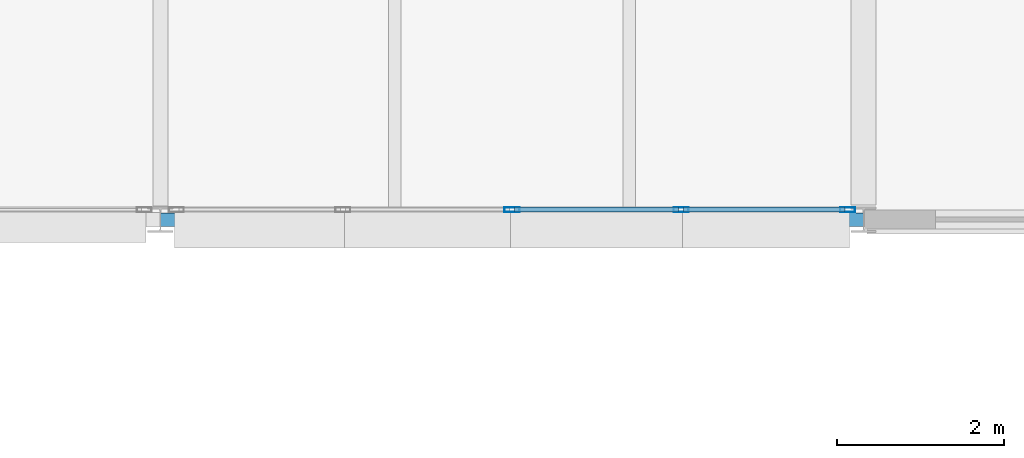
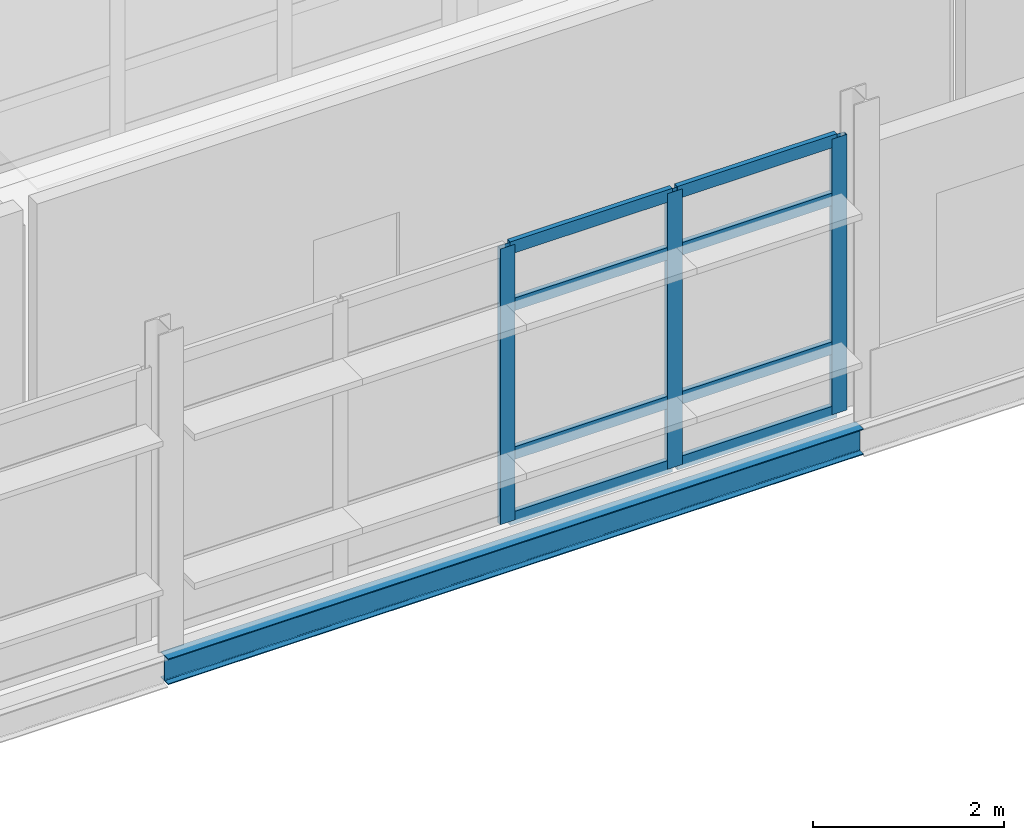
# One storey, part 22 of 57: 11 members, 1 beam, 1 element without a shape of its own.
"""IFC4 building model written with IfcOpenShell, lengths in metres."""

from ifc_helpers import new_model, si_unit, direction, frame, origin, origin_2d, place, context, subcontext, project, spatial, hollow_rectangle, i_section, extrude, material, material_profile, profile_set, type_object, element, aggregate, save


model = new_model("IFC4")

# Units and contexts
model_context = context("Model", 3, precision=1e-05, world=origin(), true_north=direction((0.0, 1.0)))
body_context = subcontext(model_context, "Body", "Model", "MODEL_VIEW")
ifc_project = project(units=[si_unit("LENGTHUNIT", "METRE"), si_unit("AREAUNIT", "SQUARE_METRE"), si_unit("VOLUMEUNIT", "CUBIC_METRE"), si_unit("PLANEANGLEUNIT", "RADIAN"), si_unit("MASSUNIT", "GRAM", prefix="KILO")], contexts=[model_context])

# Site, building, storey
site_placement = place(None, origin())
site = spatial("IfcSite", under=ifc_project, at=site_placement, CompositionType="ELEMENT")
building_placement = place(site_placement, origin())
building = spatial("IfcBuilding", under=site, at=building_placement, Name="Mersafa Astral City Hall", CompositionType="ELEMENT")
storey_placement = place(building_placement, frame((0.0, 0.0, 26.10009765625)))
storey = spatial("IfcBuildingStorey", under=building, at=storey_placement, Name="L06", CompositionType="ELEMENT", Elevation=26.10009765625)

# Curtain wall, members
ifc_material_1 = material(Name="Anodised bronze aluminium framing", Category="aluminium")
curtain_wall_type = type_object("IfcCurtainWallType", Name="ENV-CW-3", PredefinedType="USERDEFINED", material=ifc_material_1)
curtain_wall_placement = place(storey_placement, origin())
curtain_wall = element("IfcCurtainWall", 1, at=curtain_wall_placement, inside=storey, type_object=curtain_wall_type, Name="L06 Unitised solar curtain wall 266", ObjectType="UNITISED CURTAIN WALL", PredefinedType="USERDEFINED")
ifc_material_profile_1 = material_profile(ifc_material_1, hollow_rectangle(XDim=0.06005859375, YDim=0.179931640625, WallThickness=0.00390625, at=origin_2d()), Name="RHS 60x180x4")
ifc_profile_set_1 = profile_set([ifc_material_profile_1], Name="Anodised bronze aluminium framing")
member_type_1 = type_object("IfcMemberType", Name="ENV-CW-MUL-1", PredefinedType="MULLION", material=ifc_profile_set_1)
member_1_placement = place(storey_placement, frame((96.60009765625, 117.719970703125, -0.002197265625), z_axis=(0.0, 0.0, 1.0), x_axis=(0.0, 1.0, 0.0)))
member_1 = element("IfcMember", 2, at=member_1_placement, type_object=member_type_1, Name="CW-3 mullion 3", PredefinedType="MULLION", context=body_context, shape_type="SweptSolid", body=[
    extrude(hollow_rectangle(XDim=0.06005859375, YDim=0.179931640625, WallThickness=0.00390625, at=origin_2d()), origin(), (0.0, 0.0, 1.0), 3.51904296875),
])
member_2_placement = place(storey_placement, frame((98.618896484375, 117.719970703125, -0.002197265625), z_axis=(0.0, 0.0, 1.0), x_axis=(0.0, 1.0, 0.0)))
member_2 = element("IfcMember", 3, at=member_2_placement, type_object=member_type_1, Name="CW-3 mullion 4", PredefinedType="MULLION", context=body_context, shape_type="SweptSolid", body=[
    extrude(hollow_rectangle(XDim=0.06005859375, YDim=0.179931640625, WallThickness=0.00390625, at=origin_2d()), origin(), (0.0, 0.0, 1.0), 3.51904296875),
])
member_3_placement = place(storey_placement, frame((100.60791015625, 117.719970703125, -0.002197265625), z_axis=(0.0, 0.0, 1.0), x_axis=(0.0, 1.0, 0.0)))
member_3 = element("IfcMember", 4, at=member_3_placement, type_object=member_type_1, Name="CW-3 mullion 5", PredefinedType="MULLION", context=body_context, shape_type="SweptSolid", body=[
    extrude(hollow_rectangle(XDim=0.06005859375, YDim=0.179931640625, WallThickness=0.00390625, at=origin_2d()), origin(), (0.0, 0.0, 1.0), 3.51904296875),
])
ifc_material_profile_2 = material_profile(ifc_material_1, hollow_rectangle(XDim=0.06005859375, YDim=0.159912109375, WallThickness=0.00390625, at=origin_2d()), Name="RHS 60x160x4")
ifc_profile_set_2 = profile_set([ifc_material_profile_2], Name="Anodised bronze aluminium framing")
member_type_2 = type_object("IfcMemberType", Name="ENV-CW-TRN-2", PredefinedType="USERDEFINED", material=ifc_profile_set_2)
member_4_placement = place(storey_placement, frame((96.6298828125, 117.719970703125, 0.02783203125), z_axis=(1.0, 0.0, 0.0), x_axis=(0.0, 1.0, 0.0)))
member_4 = element("IfcMember", 5, at=member_4_placement, type_object=member_type_2, Name="CW-3 transom 3.1", ObjectType="TRANSOM", PredefinedType="USERDEFINED", context=body_context, shape_type="SweptSolid", body=[
    extrude(hollow_rectangle(XDim=0.06005859375, YDim=0.159912109375, WallThickness=0.00390625, at=origin_2d()), origin(), (0.0, 0.0, 1.0), 1.959228515625),
])
member_5_placement = place(storey_placement, frame((96.6298828125, 117.719970703125, 0.849853515625), z_axis=(1.0, 0.0, 0.0), x_axis=(0.0, 1.0, 0.0)))
member_5 = element("IfcMember", 6, at=member_5_placement, type_object=member_type_2, Name="CW-3 transom 3.2", ObjectType="TRANSOM", PredefinedType="USERDEFINED", context=body_context, shape_type="SweptSolid", body=[
    extrude(hollow_rectangle(XDim=0.06005859375, YDim=0.159912109375, WallThickness=0.00390625, at=origin_2d()), origin(), (0.0, 0.0, 1.0), 1.959228515625),
])
member_6_placement = place(storey_placement, frame((96.6298828125, 117.719970703125, 2.75), z_axis=(1.0, 0.0, 0.0), x_axis=(0.0, 1.0, 0.0)))
member_6 = element("IfcMember", 7, at=member_6_placement, type_object=member_type_2, Name="CW-3 transom 3.3", ObjectType="TRANSOM", PredefinedType="USERDEFINED", context=body_context, shape_type="SweptSolid", body=[
    extrude(hollow_rectangle(XDim=0.06005859375, YDim=0.159912109375, WallThickness=0.00390625, at=origin_2d()), origin(), (0.0, 0.0, 1.0), 1.959228515625),
])
member_7_placement = place(storey_placement, frame((96.6298828125, 117.719970703125, 3.48681640625), z_axis=(1.0, 0.0, 0.0), x_axis=(0.0, 1.0, 0.0)))
member_7 = element("IfcMember", 8, at=member_7_placement, type_object=member_type_2, Name="CW-3 transom 3.4", ObjectType="TRANSOM", PredefinedType="USERDEFINED", context=body_context, shape_type="SweptSolid", body=[
    extrude(hollow_rectangle(XDim=0.06005859375, YDim=0.159912109375, WallThickness=0.00390625, at=origin_2d()), origin(), (0.0, 0.0, 1.0), 1.959228515625),
])
member_8_placement = place(storey_placement, frame((98.64892578125, 117.719970703125, 0.02783203125), z_axis=(1.0, 0.0, 0.0), x_axis=(0.0, 1.0, 0.0)))
member_8 = element("IfcMember", 9, at=member_8_placement, type_object=member_type_2, Name="CW-3 transom 4.1", ObjectType="TRANSOM", PredefinedType="USERDEFINED", context=body_context, shape_type="SweptSolid", body=[
    extrude(hollow_rectangle(XDim=0.06005859375, YDim=0.159912109375, WallThickness=0.00390625, at=origin_2d()), origin(), (0.0, 0.0, 1.0), 1.928955078125),
])
member_9_placement = place(storey_placement, frame((98.64892578125, 117.719970703125, 0.849853515625), z_axis=(1.0, 0.0, 0.0), x_axis=(0.0, 1.0, 0.0)))
member_9 = element("IfcMember", 10, at=member_9_placement, type_object=member_type_2, Name="CW-3 transom 4.2", ObjectType="TRANSOM", PredefinedType="USERDEFINED", context=body_context, shape_type="SweptSolid", body=[
    extrude(hollow_rectangle(XDim=0.06005859375, YDim=0.159912109375, WallThickness=0.00390625, at=origin_2d()), origin(), (0.0, 0.0, 1.0), 1.928955078125),
])
member_10_placement = place(storey_placement, frame((98.64892578125, 117.719970703125, 2.75), z_axis=(1.0, 0.0, 0.0), x_axis=(0.0, 1.0, 0.0)))
member_10 = element("IfcMember", 11, at=member_10_placement, type_object=member_type_2, Name="CW-3 transom 4.3", ObjectType="TRANSOM", PredefinedType="USERDEFINED", context=body_context, shape_type="SweptSolid", body=[
    extrude(hollow_rectangle(XDim=0.06005859375, YDim=0.159912109375, WallThickness=0.00390625, at=origin_2d()), origin(), (0.0, 0.0, 1.0), 1.928955078125),
])
member_11_placement = place(storey_placement, frame((98.64892578125, 117.719970703125, 3.48681640625), z_axis=(1.0, 0.0, 0.0), x_axis=(0.0, 1.0, 0.0)))
member_11 = element("IfcMember", 12, at=member_11_placement, type_object=member_type_2, Name="CW-3 transom 4.4", ObjectType="TRANSOM", PredefinedType="USERDEFINED", context=body_context, shape_type="SweptSolid", body=[
    extrude(hollow_rectangle(XDim=0.06005859375, YDim=0.159912109375, WallThickness=0.00390625, at=origin_2d()), origin(), (0.0, 0.0, 1.0), 1.928955078125),
])
aggregate(curtain_wall, [member_1, member_2, member_3, member_4, member_5, member_6, member_7, member_8, member_9, member_10, member_11])

# Beam
ifc_material_2 = material(Name="Steel S355", Category="steel")
ifc_material_profile_3 = material_profile(ifc_material_2, i_section(OverallWidth=0.159912109375, OverallDepth=0.330078125, WebThickness=0.007568359375, FlangeThickness=0.011474609375, FilletRadius=0.01806640625, at=origin_2d()), Name="IPE 330")
ifc_profile_set_3 = profile_set([ifc_material_profile_3], Name="Steel S355")
beam_type = type_object("IfcBeamType", Name="STR-BM-SPANDREL-IPE330", PredefinedType="SPANDREL", material=ifc_profile_set_3)
beam_placement = place(storey_placement, frame((92.403076171875, 117.60009765625, -0.340087890625), z_axis=(1.0, 0.0, 0.0), x_axis=(0.0, 1.0, 0.0)))
element("IfcBeam", 13, at=beam_placement, inside=storey, type_object=beam_type, Name="L06 Primary girder X 11-14", PredefinedType="SPANDREL", context=body_context, shape_type="SweptSolid", body=[
    extrude(i_section(OverallWidth=0.159912109375, OverallDepth=0.330078125, WebThickness=0.007568359375, FlangeThickness=0.011474609375, FilletRadius=0.01806640625, at=origin_2d()), origin(), (0.0, 0.0, 1.0), 8.39404296875),
])

save(model, "model.ifc")
